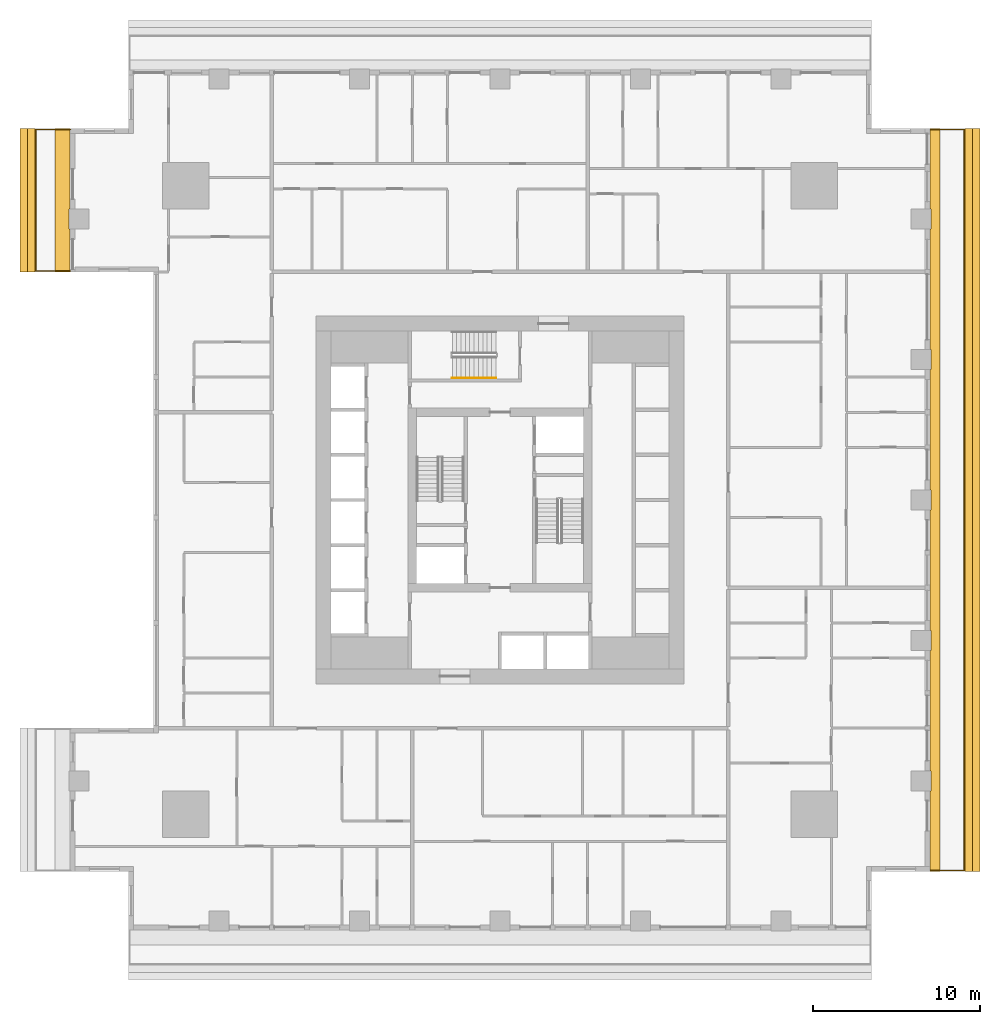
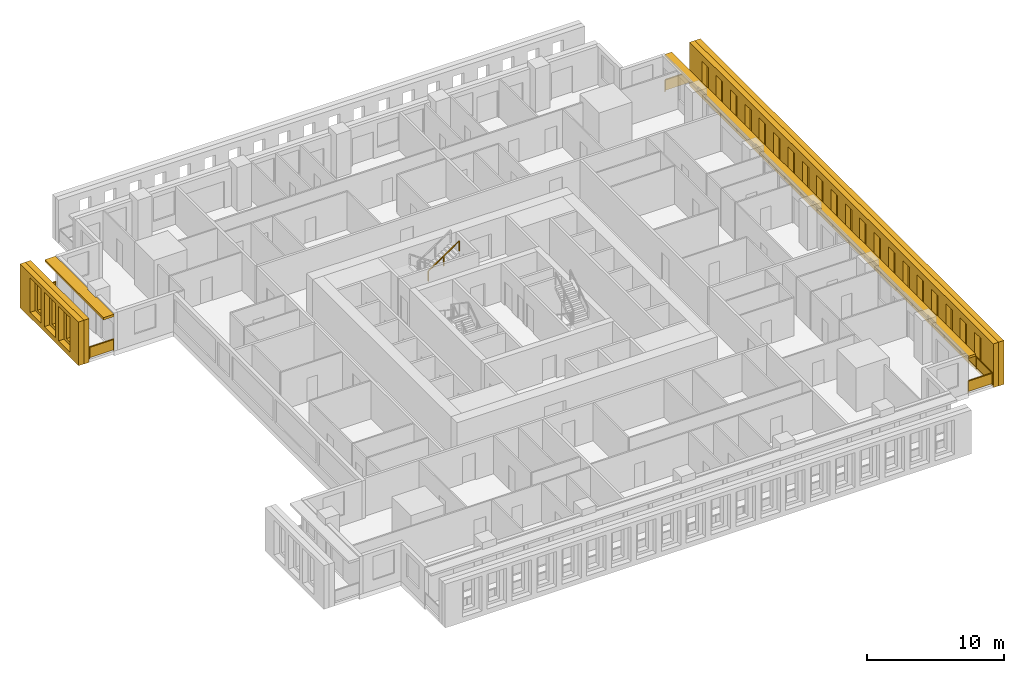
# One storey, part 12 of 14: 6 shading devices, 3 railings.
"""IFC4 building model written with IfcOpenShell, lengths in metres."""

from ifc_helpers import new_model, si_unit, direction, frame, origin, origin_2d, place, context, subcontext, project, spatial, polyline, rectangle, outline, extrude, material, layer, layer_set, type_object, element, save


model = new_model("IFC4")

# Units and contexts
model_context = context("Model", 3, precision=1e-05, world=origin(), true_north=direction((0.0, 1.0)))
body_context = subcontext(model_context, "Body", "Model", "MODEL_VIEW")
ifc_project = project(units=[si_unit("LENGTHUNIT", "METRE"), si_unit("AREAUNIT", "SQUARE_METRE"), si_unit("VOLUMEUNIT", "CUBIC_METRE"), si_unit("PLANEANGLEUNIT", "RADIAN"), si_unit("MASSUNIT", "GRAM", prefix="KILO")], contexts=[model_context])

# Site, building, storey
site_placement = place(None, origin())
site = spatial("IfcSite", under=ifc_project, at=site_placement, CompositionType="ELEMENT")
building_placement = place(site_placement, origin())
building = spatial("IfcBuilding", under=site, at=building_placement, Name="Khepri Terraces", CompositionType="ELEMENT")
storey_placement = place(building_placement, frame((0.0, 0.0, 122.10009765625)))
storey = spatial("IfcBuildingStorey", under=building, at=storey_placement, Name="L29", CompositionType="ELEMENT", Elevation=122.10009765625)

# Railings
ifc_material_1 = material(Name="Stainless steel grade 316", Category="steel")
railing_type_1 = type_object("IfcRailingType", Name="GRD-BAL-1100", PredefinedType="GUARDRAIL", material=ifc_material_1)
railing_1_placement = place(storey_placement, frame((25.719970703125, -22.169921875, 0.0)))
element("IfcRailing", 1, at=railing_1_placement, inside=storey, type_object=railing_type_1, Name="Balcony guard L29 E", PredefinedType="GUARDRAIL", context=body_context, shape_type="SweptSolid", body=[
    extrude(rectangle(XDim=0.050048828125, YDim=0.06005859375, at=origin_2d()), frame((0.0, 0.0, 1.070068359375), z_axis=(1.0, 0.0, 0.0), x_axis=(0.0, 1.0, 0.0)), (0.0, 0.0, 1.0), 2.050048828125),
    extrude(rectangle(XDim=2.0, YDim=0.011962890625, at=origin_2d()), frame((1.02490234375, 0.0, 0.10009765625), z_axis=(0.0, 0.0, 1.0), x_axis=(1.0, 0.0, 0.0)), (0.0, 0.0, 1.0), 0.93994140625),
    extrude(rectangle(XDim=0.050048828125, YDim=0.06005859375, at=origin_2d()), frame((2.050048828125, 0.0, 1.070068359375), z_axis=(0.0, 1.0, 0.0), x_axis=(-1.0, 0.0, 0.0)), (0.0, 0.0, 1.0), 44.33984375),
    extrude(rectangle(XDim=2.28369140625, YDim=0.011962890625, at=origin_2d()), frame((2.050048828125, 1.166748046875, 0.10009765625), z_axis=(0.0, 0.0, 1.0), x_axis=(0.0, 1.0, 0.0)), (0.0, 0.0, 1.0), 0.93994140625),
    extrude(rectangle(XDim=2.28369140625, YDim=0.011962890625, at=origin_2d()), frame((2.050048828125, 3.50048828125, 0.10009765625), z_axis=(0.0, 0.0, 1.0), x_axis=(0.0, 1.0, 0.0)), (0.0, 0.0, 1.0), 0.93994140625),
    extrude(rectangle(XDim=2.28369140625, YDim=0.011962890625, at=origin_2d()), frame((2.050048828125, 5.834228515625, 0.10009765625), z_axis=(0.0, 0.0, 1.0), x_axis=(0.0, 1.0, 0.0)), (0.0, 0.0, 1.0), 0.93994140625),
    extrude(rectangle(XDim=2.28369140625, YDim=0.011962890625, at=origin_2d()), frame((2.050048828125, 8.16796875, 0.10009765625), z_axis=(0.0, 0.0, 1.0), x_axis=(0.0, 1.0, 0.0)), (0.0, 0.0, 1.0), 0.93994140625),
    extrude(rectangle(XDim=2.28369140625, YDim=0.011962890625, at=origin_2d()), frame((2.050048828125, 10.50146484375, 0.10009765625), z_axis=(0.0, 0.0, 1.0), x_axis=(0.0, 1.0, 0.0)), (0.0, 0.0, 1.0), 0.93994140625),
    extrude(rectangle(XDim=2.28369140625, YDim=0.011962890625, at=origin_2d()), frame((2.050048828125, 12.835205078125, 0.10009765625), z_axis=(0.0, 0.0, 1.0), x_axis=(0.0, 1.0, 0.0)), (0.0, 0.0, 1.0), 0.93994140625),
    extrude(rectangle(XDim=2.28369140625, YDim=0.011962890625, at=origin_2d()), frame((2.050048828125, 15.1689453125, 0.10009765625), z_axis=(0.0, 0.0, 1.0), x_axis=(0.0, 1.0, 0.0)), (0.0, 0.0, 1.0), 0.93994140625),
    extrude(rectangle(XDim=2.28369140625, YDim=0.011962890625, at=origin_2d()), frame((2.050048828125, 17.502685546875, 0.10009765625), z_axis=(0.0, 0.0, 1.0), x_axis=(0.0, 1.0, 0.0)), (0.0, 0.0, 1.0), 0.93994140625),
    extrude(rectangle(XDim=2.28369140625, YDim=0.011962890625, at=origin_2d()), frame((2.050048828125, 19.836181640625, 0.10009765625), z_axis=(0.0, 0.0, 1.0), x_axis=(0.0, 1.0, 0.0)), (0.0, 0.0, 1.0), 0.93994140625),
    extrude(rectangle(XDim=2.28369140625, YDim=0.011962890625, at=origin_2d()), frame((2.050048828125, 22.169921875, 0.10009765625), z_axis=(0.0, 0.0, 1.0), x_axis=(0.0, 1.0, 0.0)), (0.0, 0.0, 1.0), 0.93994140625),
    extrude(rectangle(XDim=2.28369140625, YDim=0.011962890625, at=origin_2d()), frame((2.050048828125, 24.503662109375, 0.10009765625), z_axis=(0.0, 0.0, 1.0), x_axis=(0.0, 1.0, 0.0)), (0.0, 0.0, 1.0), 0.93994140625),
    extrude(rectangle(XDim=2.28369140625, YDim=0.011962890625, at=origin_2d()), frame((2.050048828125, 26.837158203125, 0.10009765625), z_axis=(0.0, 0.0, 1.0), x_axis=(0.0, 1.0, 0.0)), (0.0, 0.0, 1.0), 0.93994140625),
    extrude(rectangle(XDim=2.28369140625, YDim=0.011962890625, at=origin_2d()), frame((2.050048828125, 29.1708984375, 0.10009765625), z_axis=(0.0, 0.0, 1.0), x_axis=(0.0, 1.0, 0.0)), (0.0, 0.0, 1.0), 0.93994140625),
    extrude(rectangle(XDim=2.28369140625, YDim=0.011962890625, at=origin_2d()), frame((2.050048828125, 31.504638671875, 0.10009765625), z_axis=(0.0, 0.0, 1.0), x_axis=(0.0, 1.0, 0.0)), (0.0, 0.0, 1.0), 0.93994140625),
    extrude(rectangle(XDim=2.28369140625, YDim=0.011962890625, at=origin_2d()), frame((2.050048828125, 33.83837890625, 0.10009765625), z_axis=(0.0, 0.0, 1.0), x_axis=(0.0, 1.0, 0.0)), (0.0, 0.0, 1.0), 0.93994140625),
    extrude(rectangle(XDim=2.28369140625, YDim=0.011962890625, at=origin_2d()), frame((2.050048828125, 36.171875, 0.10009765625), z_axis=(0.0, 0.0, 1.0), x_axis=(0.0, 1.0, 0.0)), (0.0, 0.0, 1.0), 0.93994140625),
    extrude(rectangle(XDim=2.28369140625, YDim=0.011962890625, at=origin_2d()), frame((2.050048828125, 38.505615234375, 0.10009765625), z_axis=(0.0, 0.0, 1.0), x_axis=(0.0, 1.0, 0.0)), (0.0, 0.0, 1.0), 0.93994140625),
    extrude(rectangle(XDim=2.28369140625, YDim=0.011962890625, at=origin_2d()), frame((2.050048828125, 40.83935546875, 0.10009765625), z_axis=(0.0, 0.0, 1.0), x_axis=(0.0, 1.0, 0.0)), (0.0, 0.0, 1.0), 0.93994140625),
    extrude(rectangle(XDim=2.28369140625, YDim=0.011962890625, at=origin_2d()), frame((2.050048828125, 43.173095703125, 0.10009765625), z_axis=(0.0, 0.0, 1.0), x_axis=(0.0, 1.0, 0.0)), (0.0, 0.0, 1.0), 0.93994140625),
    extrude(rectangle(XDim=0.050048828125, YDim=0.06005859375, at=origin_2d()), frame((2.050048828125, 44.33984375, 1.070068359375), z_axis=(-1.0, 0.0, 0.0), x_axis=(0.0, -1.0, 0.0)), (0.0, 0.0, 1.0), 2.050048828125),
    extrude(rectangle(XDim=2.0, YDim=0.011962890625, at=origin_2d()), frame((1.02490234375, 44.33984375, 0.10009765625), z_axis=(0.0, 0.0, 1.0), x_axis=(-1.0, 0.0, 0.0)), (0.0, 0.0, 1.0), 0.93994140625),
    extrude(rectangle(XDim=0.050048828125, YDim=0.050048828125, at=origin_2d()), origin(), (0.0, 0.0, 1.0), 1.0400390625),
    extrude(rectangle(XDim=0.050048828125, YDim=0.050048828125, at=origin_2d()), frame((2.050048828125, 0.0, 0.0)), (0.0, 0.0, 1.0), 1.0400390625),
    extrude(rectangle(XDim=0.050048828125, YDim=0.050048828125, at=origin_2d()), frame((2.050048828125, 2.333740234375, 0.0)), (0.0, 0.0, 1.0), 1.0400390625),
    extrude(rectangle(XDim=0.050048828125, YDim=0.050048828125, at=origin_2d()), frame((2.050048828125, 4.667236328125, 0.0)), (0.0, 0.0, 1.0), 1.0400390625),
    extrude(rectangle(XDim=0.050048828125, YDim=0.050048828125, at=origin_2d()), frame((2.050048828125, 7.0009765625, 0.0)), (0.0, 0.0, 1.0), 1.0400390625),
    extrude(rectangle(XDim=0.050048828125, YDim=0.050048828125, at=origin_2d()), frame((2.050048828125, 9.334716796875, 0.0)), (0.0, 0.0, 1.0), 1.0400390625),
    extrude(rectangle(XDim=0.050048828125, YDim=0.050048828125, at=origin_2d()), frame((2.050048828125, 11.66845703125, 0.0)), (0.0, 0.0, 1.0), 1.0400390625),
    extrude(rectangle(XDim=0.050048828125, YDim=0.050048828125, at=origin_2d()), frame((2.050048828125, 14.001953125, 0.0)), (0.0, 0.0, 1.0), 1.0400390625),
    extrude(rectangle(XDim=0.050048828125, YDim=0.050048828125, at=origin_2d()), frame((2.050048828125, 16.335693359375, 0.0)), (0.0, 0.0, 1.0), 1.0400390625),
    extrude(rectangle(XDim=0.050048828125, YDim=0.050048828125, at=origin_2d()), frame((2.050048828125, 18.66943359375, 0.0)), (0.0, 0.0, 1.0), 1.0400390625),
    extrude(rectangle(XDim=0.050048828125, YDim=0.050048828125, at=origin_2d()), frame((2.050048828125, 21.003173828125, 0.0)), (0.0, 0.0, 1.0), 1.0400390625),
    extrude(rectangle(XDim=0.050048828125, YDim=0.050048828125, at=origin_2d()), frame((2.050048828125, 23.336669921875, 0.0)), (0.0, 0.0, 1.0), 1.0400390625),
    extrude(rectangle(XDim=0.050048828125, YDim=0.050048828125, at=origin_2d()), frame((2.050048828125, 25.67041015625, 0.0)), (0.0, 0.0, 1.0), 1.0400390625),
    extrude(rectangle(XDim=0.050048828125, YDim=0.050048828125, at=origin_2d()), frame((2.050048828125, 28.004150390625, 0.0)), (0.0, 0.0, 1.0), 1.0400390625),
    extrude(rectangle(XDim=0.050048828125, YDim=0.050048828125, at=origin_2d()), frame((2.050048828125, 30.337890625, 0.0)), (0.0, 0.0, 1.0), 1.0400390625),
    extrude(rectangle(XDim=0.050048828125, YDim=0.050048828125, at=origin_2d()), frame((2.050048828125, 32.67138671875, 0.0)), (0.0, 0.0, 1.0), 1.0400390625),
    extrude(rectangle(XDim=0.050048828125, YDim=0.050048828125, at=origin_2d()), frame((2.050048828125, 35.005126953125, 0.0)), (0.0, 0.0, 1.0), 1.0400390625),
    extrude(rectangle(XDim=0.050048828125, YDim=0.050048828125, at=origin_2d()), frame((2.050048828125, 37.3388671875, 0.0)), (0.0, 0.0, 1.0), 1.0400390625),
    extrude(rectangle(XDim=0.050048828125, YDim=0.050048828125, at=origin_2d()), frame((2.050048828125, 39.672607421875, 0.0)), (0.0, 0.0, 1.0), 1.0400390625),
    extrude(rectangle(XDim=0.050048828125, YDim=0.050048828125, at=origin_2d()), frame((2.050048828125, 42.006103515625, 0.0)), (0.0, 0.0, 1.0), 1.0400390625),
    extrude(rectangle(XDim=0.050048828125, YDim=0.050048828125, at=origin_2d()), frame((2.050048828125, 44.33984375, 0.0)), (0.0, 0.0, 1.0), 1.0400390625),
    extrude(rectangle(XDim=0.050048828125, YDim=0.050048828125, at=origin_2d()), frame((0.0, 44.33984375, 0.0)), (0.0, 0.0, 1.0), 1.0400390625),
])
railing_2_placement = place(storey_placement, frame((-25.719970703125, 22.169921875, 0.0)))
element("IfcRailing", 2, at=railing_2_placement, inside=storey, type_object=railing_type_1, Name="Balcony guard L29 W", PredefinedType="GUARDRAIL", context=body_context, shape_type="SweptSolid", body=[
    extrude(rectangle(XDim=0.050048828125, YDim=0.06005859375, at=origin_2d()), frame((0.0, 0.0, 1.070068359375), z_axis=(-1.0, 0.0, 0.0), x_axis=(0.0, -1.0, 0.0)), (0.0, 0.0, 1.0), 2.050048828125),
    extrude(rectangle(XDim=2.0, YDim=0.011962890625, at=origin_2d()), frame((-1.02490234375, 0.0, 0.10009765625), z_axis=(0.0, 0.0, 1.0), x_axis=(-1.0, 0.0, 0.0)), (0.0, 0.0, 1.0), 0.93994140625),
    extrude(rectangle(XDim=0.050048828125, YDim=0.06005859375, at=origin_2d()), frame((-2.050048828125, 0.0, 1.070068359375), z_axis=(0.0, -1.0, 0.0), x_axis=(1.0, 0.0, 0.0)), (0.0, 0.0, 1.0), 8.469970703125),
    extrude(rectangle(XDim=2.0673828125, YDim=0.011962890625, at=origin_2d()), frame((-2.050048828125, -1.058837890625, 0.10009765625), z_axis=(0.0, 0.0, 1.0), x_axis=(0.0, -1.0, 0.0)), (0.0, 0.0, 1.0), 0.93994140625),
    extrude(rectangle(XDim=2.0673828125, YDim=0.011962890625, at=origin_2d()), frame((-2.050048828125, -3.17626953125, 0.10009765625), z_axis=(0.0, 0.0, 1.0), x_axis=(0.0, -1.0, 0.0)), (0.0, 0.0, 1.0), 0.93994140625),
    extrude(rectangle(XDim=2.0673828125, YDim=0.011962890625, at=origin_2d()), frame((-2.050048828125, -5.293701171875, 0.10009765625), z_axis=(0.0, 0.0, 1.0), x_axis=(0.0, -1.0, 0.0)), (0.0, 0.0, 1.0), 0.93994140625),
    extrude(rectangle(XDim=2.0673828125, YDim=0.011962890625, at=origin_2d()), frame((-2.050048828125, -7.4111328125, 0.10009765625), z_axis=(0.0, 0.0, 1.0), x_axis=(0.0, -1.0, 0.0)), (0.0, 0.0, 1.0), 0.93994140625),
    extrude(rectangle(XDim=0.050048828125, YDim=0.06005859375, at=origin_2d()), frame((-2.050048828125, -8.469970703125, 1.070068359375), z_axis=(1.0, 0.0, 0.0), x_axis=(0.0, 1.0, 0.0)), (0.0, 0.0, 1.0), 2.050048828125),
    extrude(rectangle(XDim=2.0, YDim=0.011962890625, at=origin_2d()), frame((-1.02490234375, -8.469970703125, 0.10009765625), z_axis=(0.0, 0.0, 1.0), x_axis=(1.0, 0.0, 0.0)), (0.0, 0.0, 1.0), 0.93994140625),
    extrude(rectangle(XDim=0.050048828125, YDim=0.050048828125, at=origin_2d()), origin(), (0.0, 0.0, 1.0), 1.0400390625),
    extrude(rectangle(XDim=0.050048828125, YDim=0.050048828125, at=origin_2d()), frame((-2.050048828125, 0.0, 0.0)), (0.0, 0.0, 1.0), 1.0400390625),
    extrude(rectangle(XDim=0.050048828125, YDim=0.050048828125, at=origin_2d()), frame((-2.050048828125, -2.117431640625, 0.0)), (0.0, 0.0, 1.0), 1.0400390625),
    extrude(rectangle(XDim=0.050048828125, YDim=0.050048828125, at=origin_2d()), frame((-2.050048828125, -4.23486328125, 0.0)), (0.0, 0.0, 1.0), 1.0400390625),
    extrude(rectangle(XDim=0.050048828125, YDim=0.050048828125, at=origin_2d()), frame((-2.050048828125, -6.3525390625, 0.0)), (0.0, 0.0, 1.0), 1.0400390625),
    extrude(rectangle(XDim=0.050048828125, YDim=0.050048828125, at=origin_2d()), frame((-2.050048828125, -8.469970703125, 0.0)), (0.0, 0.0, 1.0), 1.0400390625),
    extrude(rectangle(XDim=0.050048828125, YDim=0.050048828125, at=origin_2d()), frame((0.0, -8.469970703125, 0.0)), (0.0, 0.0, 1.0), 1.0400390625),
])
ifc_material_2 = material(Name="Stainless steel 316", Category="steel")
railing_type_2 = type_object("IfcRailingType", Name="RL-CORE-HANDRAIL", PredefinedType="HANDRAIL", material=ifc_material_2)
railing_3_placement = place(storey_placement, frame((-2.85009765625, 7.300048828125, 2.127197265625)))
element("IfcRailing", 3, at=railing_3_placement, inside=storey, type_object=railing_type_2, Name="L29 ST-3 stair handrail 2", PredefinedType="HANDRAIL", context=body_context, shape_type="SweptSolid", body=[
    extrude(rectangle(XDim=0.050048828125, YDim=0.050048828125, at=origin_2d()), frame((0.0, 0.0, 0.875), z_axis=(0.826240473404, 0.0, 0.563317565952), x_axis=(0.0, 1.0, 0.0)), (0.0, 0.0, 1.0), 3.14697265625),
    extrude(rectangle(XDim=0.050048828125, YDim=0.050048828125, at=origin_2d()), origin(), (0.0, 0.0, 1.0), 0.849853515625),
    extrude(rectangle(XDim=0.050048828125, YDim=0.050048828125, at=origin_2d()), frame((1.300048828125, 0.0, 0.88623046875)), (0.0, 0.0, 1.0), 0.849853515625),
    extrude(rectangle(XDim=0.050048828125, YDim=0.050048828125, at=origin_2d()), frame((2.60009765625, 0.0, 1.772705078125)), (0.0, 0.0, 1.0), 0.849853515625),
])

# Shading devices
ifc_material_3 = material(Name="Precast concrete C50/60 warm stone", Category="masonry")
shading_device_type_1 = type_object("IfcShadingDeviceType", Name="SCR-CELL-INNER-450", PredefinedType="USERDEFINED", material=ifc_material_3)
shading_device_1_placement = place(storey_placement, frame((27.820068359375, -22.219970703125, -0.25), z_axis=(1.0, 0.0, 0.0), x_axis=(0.0, 1.0, 0.0)))
element("IfcShadingDevice", 4, at=shading_device_1_placement, inside=storey, type_object=shading_device_type_1, Name="Cell screen L29 E in", ObjectType="SCREEN", PredefinedType="USERDEFINED", context=body_context, shape_type="SweptSolid", body=[
    extrude(outline(polyline([(0.0, 0.0), (44.43994140625, 0.0), (44.43994140625, 3.89990234375), (0.0, 3.89990234375), (0.0, 0.0)]), holes=[polyline([(1.797607421875, 0.699951171875), (2.742431640625, 0.699951171875), (2.742431640625, 3.300048828125), (1.797607421875, 3.300048828125), (1.797607421875, 0.699951171875)]), polyline([(3.8974609375, 0.699951171875), (4.842529296875, 0.699951171875), (4.842529296875, 3.300048828125), (3.8974609375, 3.300048828125), (3.8974609375, 0.699951171875)]), polyline([(5.99755859375, 0.699951171875), (6.9423828125, 0.699951171875), (6.9423828125, 3.300048828125), (5.99755859375, 3.300048828125), (5.99755859375, 0.699951171875)]), polyline([(8.097412109375, 0.699951171875), (9.04248046875, 0.699951171875), (9.04248046875, 3.300048828125), (8.097412109375, 3.300048828125), (8.097412109375, 0.699951171875)]), polyline([(10.197509765625, 0.699951171875), (11.142578125, 0.699951171875), (11.142578125, 3.300048828125), (10.197509765625, 3.300048828125), (10.197509765625, 0.699951171875)]), polyline([(12.297607421875, 0.699951171875), (13.242431640625, 0.699951171875), (13.242431640625, 3.300048828125), (12.297607421875, 3.300048828125), (12.297607421875, 0.699951171875)]), polyline([(14.3974609375, 0.699951171875), (15.342529296875, 0.699951171875), (15.342529296875, 3.300048828125), (14.3974609375, 3.300048828125), (14.3974609375, 0.699951171875)]), polyline([(16.49755859375, 0.699951171875), (17.4423828125, 0.699951171875), (17.4423828125, 3.300048828125), (16.49755859375, 3.300048828125), (16.49755859375, 0.699951171875)]), polyline([(18.597412109375, 0.699951171875), (19.54248046875, 0.699951171875), (19.54248046875, 3.300048828125), (18.597412109375, 3.300048828125), (18.597412109375, 0.699951171875)]), polyline([(20.697509765625, 0.699951171875), (21.642578125, 0.699951171875), (21.642578125, 3.300048828125), (20.697509765625, 3.300048828125), (20.697509765625, 0.699951171875)]), polyline([(22.797607421875, 0.699951171875), (23.742431640625, 0.699951171875), (23.742431640625, 3.300048828125), (22.797607421875, 3.300048828125), (22.797607421875, 0.699951171875)]), polyline([(24.8974609375, 0.699951171875), (25.842529296875, 0.699951171875), (25.842529296875, 3.300048828125), (24.8974609375, 3.300048828125), (24.8974609375, 0.699951171875)]), polyline([(26.99755859375, 0.699951171875), (27.9423828125, 0.699951171875), (27.9423828125, 3.300048828125), (26.99755859375, 3.300048828125), (26.99755859375, 0.699951171875)]), polyline([(29.097412109375, 0.699951171875), (30.04248046875, 0.699951171875), (30.04248046875, 3.300048828125), (29.097412109375, 3.300048828125), (29.097412109375, 0.699951171875)]), polyline([(31.197509765625, 0.699951171875), (32.142578125, 0.699951171875), (32.142578125, 3.300048828125), (31.197509765625, 3.300048828125), (31.197509765625, 0.699951171875)]), polyline([(33.297607421875, 0.699951171875), (34.242431640625, 0.699951171875), (34.242431640625, 3.300048828125), (33.297607421875, 3.300048828125), (33.297607421875, 0.699951171875)]), polyline([(35.3974609375, 0.699951171875), (36.342529296875, 0.699951171875), (36.342529296875, 3.300048828125), (35.3974609375, 3.300048828125), (35.3974609375, 0.699951171875)]), polyline([(37.49755859375, 0.699951171875), (38.4423828125, 0.699951171875), (38.4423828125, 3.300048828125), (37.49755859375, 3.300048828125), (37.49755859375, 0.699951171875)]), polyline([(39.597412109375, 0.699951171875), (40.54248046875, 0.699951171875), (40.54248046875, 3.300048828125), (39.597412109375, 3.300048828125), (39.597412109375, 0.699951171875)]), polyline([(41.697509765625, 0.699951171875), (42.642578125, 0.699951171875), (42.642578125, 3.300048828125), (41.697509765625, 3.300048828125), (41.697509765625, 0.699951171875)])]), origin(), (0.0, 0.0, 1.0), 0.449951171875),
])
shading_device_2_placement = place(storey_placement, frame((-27.820068359375, 22.219970703125, -0.25), z_axis=(-1.0, 0.0, 0.0), x_axis=(0.0, -1.0, 0.0)))
element("IfcShadingDevice", 5, at=shading_device_2_placement, inside=storey, type_object=shading_device_type_1, Name="Cell screen L29 W in", ObjectType="SCREEN", PredefinedType="USERDEFINED", context=body_context, shape_type="SweptSolid", body=[
    extrude(outline(polyline([(0.0, 0.0), (8.570068359375, 0.0), (8.570068359375, 3.89990234375), (0.0, 3.89990234375), (0.0, 0.0)]), holes=[polyline([(1.797607421875, 0.699951171875), (2.742431640625, 0.699951171875), (2.742431640625, 3.300048828125), (1.797607421875, 3.300048828125), (1.797607421875, 0.699951171875)]), polyline([(3.8974609375, 0.699951171875), (4.842529296875, 0.699951171875), (4.842529296875, 3.300048828125), (3.8974609375, 3.300048828125), (3.8974609375, 0.699951171875)]), polyline([(5.99755859375, 0.699951171875), (6.9423828125, 0.699951171875), (6.9423828125, 3.300048828125), (5.99755859375, 3.300048828125), (5.99755859375, 0.699951171875)])]), origin(), (0.0, 0.0, 1.0), 0.449951171875),
])
shading_device_type_2 = type_object("IfcShadingDeviceType", Name="SCR-CELL-OUTER-450", PredefinedType="USERDEFINED", material=ifc_material_3)
shading_device_3_placement = place(storey_placement, frame((28.27001953125, -22.219970703125, -0.25), z_axis=(1.0, 0.0, 0.0), x_axis=(0.0, 1.0, 0.0)))
element("IfcShadingDevice", 6, at=shading_device_3_placement, inside=storey, type_object=shading_device_type_2, Name="Cell screen L29 E out", ObjectType="SCREEN", PredefinedType="USERDEFINED", context=body_context, shape_type="SweptSolid", body=[
    extrude(outline(polyline([(0.0, 0.0), (44.43994140625, 0.0), (44.43994140625, 3.89990234375), (0.0, 3.89990234375), (0.0, 0.0)]), holes=[polyline([(1.447509765625, 0.449951171875), (3.092529296875, 0.449951171875), (3.092529296875, 3.550048828125), (1.447509765625, 3.550048828125), (1.447509765625, 0.449951171875)]), polyline([(3.547607421875, 0.449951171875), (5.1923828125, 0.449951171875), (5.1923828125, 3.550048828125), (3.547607421875, 3.550048828125), (3.547607421875, 0.449951171875)]), polyline([(5.6474609375, 0.449951171875), (7.29248046875, 0.449951171875), (7.29248046875, 3.550048828125), (5.6474609375, 3.550048828125), (5.6474609375, 0.449951171875)]), polyline([(7.74755859375, 0.449951171875), (9.392578125, 0.449951171875), (9.392578125, 3.550048828125), (7.74755859375, 3.550048828125), (7.74755859375, 0.449951171875)]), polyline([(9.847412109375, 0.449951171875), (11.492431640625, 0.449951171875), (11.492431640625, 3.550048828125), (9.847412109375, 3.550048828125), (9.847412109375, 0.449951171875)]), polyline([(11.947509765625, 0.449951171875), (13.592529296875, 0.449951171875), (13.592529296875, 3.550048828125), (11.947509765625, 3.550048828125), (11.947509765625, 0.449951171875)]), polyline([(14.047607421875, 0.449951171875), (15.6923828125, 0.449951171875), (15.6923828125, 3.550048828125), (14.047607421875, 3.550048828125), (14.047607421875, 0.449951171875)]), polyline([(16.1474609375, 0.449951171875), (17.79248046875, 0.449951171875), (17.79248046875, 3.550048828125), (16.1474609375, 3.550048828125), (16.1474609375, 0.449951171875)]), polyline([(18.24755859375, 0.449951171875), (19.892578125, 0.449951171875), (19.892578125, 3.550048828125), (18.24755859375, 3.550048828125), (18.24755859375, 0.449951171875)]), polyline([(20.347412109375, 0.449951171875), (21.992431640625, 0.449951171875), (21.992431640625, 3.550048828125), (20.347412109375, 3.550048828125), (20.347412109375, 0.449951171875)]), polyline([(22.447509765625, 0.449951171875), (24.092529296875, 0.449951171875), (24.092529296875, 3.550048828125), (22.447509765625, 3.550048828125), (22.447509765625, 0.449951171875)]), polyline([(24.547607421875, 0.449951171875), (26.1923828125, 0.449951171875), (26.1923828125, 3.550048828125), (24.547607421875, 3.550048828125), (24.547607421875, 0.449951171875)]), polyline([(26.6474609375, 0.449951171875), (28.29248046875, 0.449951171875), (28.29248046875, 3.550048828125), (26.6474609375, 3.550048828125), (26.6474609375, 0.449951171875)]), polyline([(28.74755859375, 0.449951171875), (30.392578125, 0.449951171875), (30.392578125, 3.550048828125), (28.74755859375, 3.550048828125), (28.74755859375, 0.449951171875)]), polyline([(30.847412109375, 0.449951171875), (32.492431640625, 0.449951171875), (32.492431640625, 3.550048828125), (30.847412109375, 3.550048828125), (30.847412109375, 0.449951171875)]), polyline([(32.947509765625, 0.449951171875), (34.592529296875, 0.449951171875), (34.592529296875, 3.550048828125), (32.947509765625, 3.550048828125), (32.947509765625, 0.449951171875)]), polyline([(35.047607421875, 0.449951171875), (36.6923828125, 0.449951171875), (36.6923828125, 3.550048828125), (35.047607421875, 3.550048828125), (35.047607421875, 0.449951171875)]), polyline([(37.1474609375, 0.449951171875), (38.79248046875, 0.449951171875), (38.79248046875, 3.550048828125), (37.1474609375, 3.550048828125), (37.1474609375, 0.449951171875)]), polyline([(39.24755859375, 0.449951171875), (40.892578125, 0.449951171875), (40.892578125, 3.550048828125), (39.24755859375, 3.550048828125), (39.24755859375, 0.449951171875)]), polyline([(41.347412109375, 0.449951171875), (42.992431640625, 0.449951171875), (42.992431640625, 3.550048828125), (41.347412109375, 3.550048828125), (41.347412109375, 0.449951171875)])]), origin(), (0.0, 0.0, 1.0), 0.449951171875),
])
shading_device_4_placement = place(storey_placement, frame((-28.27001953125, 22.219970703125, -0.25), z_axis=(-1.0, 0.0, 0.0), x_axis=(0.0, -1.0, 0.0)))
element("IfcShadingDevice", 7, at=shading_device_4_placement, inside=storey, type_object=shading_device_type_2, Name="Cell screen L29 W out", ObjectType="SCREEN", PredefinedType="USERDEFINED", context=body_context, shape_type="SweptSolid", body=[
    extrude(outline(polyline([(0.0, 0.0), (8.570068359375, 0.0), (8.570068359375, 3.89990234375), (0.0, 3.89990234375), (0.0, 0.0)]), holes=[polyline([(1.447509765625, 0.449951171875), (3.092529296875, 0.449951171875), (3.092529296875, 3.550048828125), (1.447509765625, 3.550048828125), (1.447509765625, 0.449951171875)]), polyline([(3.547607421875, 0.449951171875), (5.1923828125, 0.449951171875), (5.1923828125, 3.550048828125), (3.547607421875, 3.550048828125), (3.547607421875, 0.449951171875)]), polyline([(5.6474609375, 0.449951171875), (7.29248046875, 0.449951171875), (7.29248046875, 3.550048828125), (5.6474609375, 3.550048828125), (5.6474609375, 0.449951171875)])]), origin(), (0.0, 0.0, 1.0), 0.449951171875),
])
ifc_layer_1 = layer(ifc_material_3, 0.199951171875, Name="Precast concrete C50/60 warm stone", Category="masonry")
ifc_layer_set_1 = layer_set([ifc_layer_1], Name="Precast concrete C50/60 warm stone")
shading_device_type_3 = type_object("IfcShadingDeviceType", Name="SSH-BAND-STONE-200", PredefinedType="USERDEFINED", material=ifc_layer_set_1)
shading_device_5_placement = place(storey_placement, frame((0.0, 0.0, 3.099853515625)))
element("IfcShadingDevice", 8, at=shading_device_5_placement, inside=storey, type_object=shading_device_type_3, Name="Sunshade band L29 W", ObjectType="SUNSHADE", PredefinedType="USERDEFINED", context=body_context, shape_type="SweptSolid", body=[
    extrude(outline(polyline([(-25.719970703125, 17.39990234375), (-25.719970703125, 22.219970703125), (-26.6201171875, 22.219970703125), (-26.6201171875, 13.64990234375), (-25.719970703125, 13.64990234375), (-25.719970703125, 16.199951171875), (-25.800048828125, 16.199951171875), (-25.800048828125, 17.39990234375), (-25.719970703125, 17.39990234375)])), origin(), (0.0, 0.0, 1.0), 0.199951171875),
])
ifc_layer_2 = layer(ifc_material_3, 0.199951171875, Name="Precast concrete C50/60 warm stone", Category="masonry")
ifc_layer_set_2 = layer_set([ifc_layer_2], Name="Precast concrete C50/60 warm stone")
shading_device_type_4 = type_object("IfcShadingDeviceType", Name="SSH-BAND-STONE-200-N", PredefinedType="USERDEFINED", material=ifc_layer_set_2)
shading_device_6_placement = place(storey_placement, frame((0.0, 0.0, 3.099853515625)))
element("IfcShadingDevice", 9, at=shading_device_6_placement, inside=storey, type_object=shading_device_type_4, Name="Sunshade band L29 E", ObjectType="SUNSHADE", PredefinedType="USERDEFINED", context=body_context, shape_type="SweptSolid", body=[
    extrude(outline(polyline([(25.719970703125, -17.39990234375), (25.719970703125, -22.219970703125), (26.320068359375, -22.219970703125), (26.320068359375, 22.219970703125), (25.719970703125, 22.219970703125), (25.719970703125, 17.39990234375), (25.800048828125, 17.39990234375), (25.800048828125, 16.199951171875), (25.719970703125, 16.199951171875), (25.719970703125, 9.0), (25.800048828125, 9.0), (25.800048828125, 7.800048828125), (25.719970703125, 7.800048828125), (25.719970703125, 0.60009765625), (25.800048828125, 0.60009765625), (25.800048828125, -0.60009765625), (25.719970703125, -0.60009765625), (25.719970703125, -7.800048828125), (25.800048828125, -7.800048828125), (25.800048828125, -9.0), (25.719970703125, -9.0), (25.719970703125, -16.199951171875), (25.800048828125, -16.199951171875), (25.800048828125, -17.39990234375), (25.719970703125, -17.39990234375)])), origin(), (0.0, 0.0, 1.0), 0.199951171875),
])

save(model, "model.ifc")
